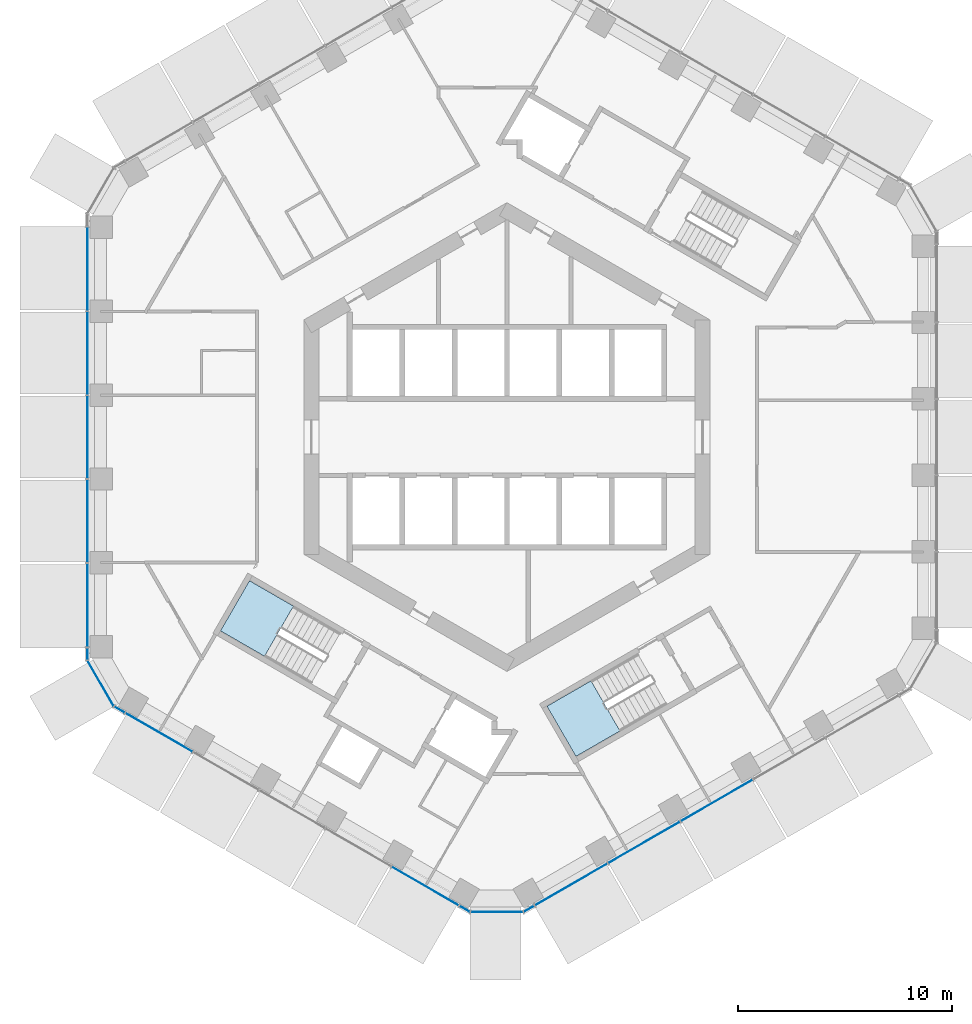
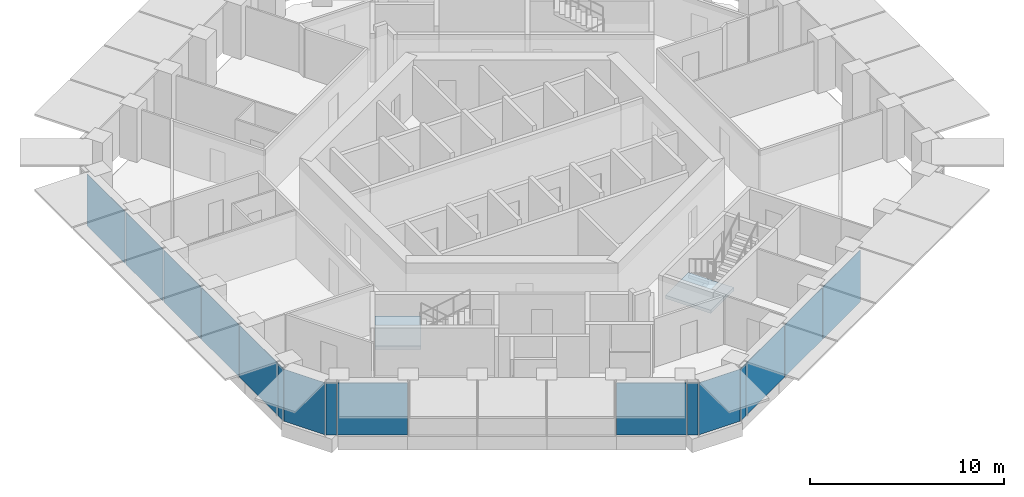
# One storey, part 8 of 18: 16 plates, 2 slabs, 7 elements without a shape of their own.
"""IFC4 building model written with IfcOpenShell, lengths in metres."""

from ifc_helpers import new_model, si_unit, direction, frame, origin, origin_2d, place, context, subcontext, project, spatial, polyline, rectangle, outline, extrude, material, layer, layer_set, type_object, element, aggregate, save


model = new_model("IFC4")

# Units and contexts
model_context = context("Model", 3, precision=1e-05, world=origin(), true_north=direction((0.0, 1.0)))
body_context = subcontext(model_context, "Body", "Model", "MODEL_VIEW")
ifc_project = project(units=[si_unit("LENGTHUNIT", "METRE"), si_unit("AREAUNIT", "SQUARE_METRE"), si_unit("VOLUMEUNIT", "CUBIC_METRE"), si_unit("PLANEANGLEUNIT", "RADIAN"), si_unit("MASSUNIT", "GRAM", prefix="KILO")], contexts=[model_context])

# Site, building, storey
site_placement = place(None, origin())
site = spatial("IfcSite", under=ifc_project, at=site_placement, CompositionType="ELEMENT")
building_placement = place(site_placement, origin())
building = spatial("IfcBuilding", under=site, at=building_placement, Name="Ayvan Gate Tower", CompositionType="ELEMENT")
storey_placement = place(building_placement, frame((0.0, 0.0, 110.300048828125)))
storey = spatial("IfcBuildingStorey", under=building, at=storey_placement, Name="L29", CompositionType="ELEMENT", Elevation=110.300048828125)

# Stair, slab
ifc_material_1 = material(Name="Concrete C40/50", Category="concrete")
stair_type = type_object("IfcStairType", Name="ST-EXIT", PredefinedType="HALF_TURN_STAIR", material=ifc_material_1)
stair_1_placement = place(storey_placement, origin())
stair_1 = element("IfcStair", 1, at=stair_1_placement, inside=storey, type_object=stair_type, Name="L29 Exit Stair S2", PredefinedType="HALF_TURN_STAIR")
ifc_layer_1 = layer(ifc_material_1, 0.199951171875)
ifc_layer_set_1 = layer_set([ifc_layer_1], Name="Concrete C40/50")
slab_type = type_object("IfcSlabType", Name="SL-LANDING-200", PredefinedType="LANDING", material=ifc_layer_set_1)
slab_1_placement = place(storey_placement, frame((0.0, 0.0, 1.5)))
slab_1 = element("IfcSlab", 2, at=slab_1_placement, type_object=slab_type, Name="STS2 landing 1", PredefinedType="LANDING", context=body_context, shape_type="SweptSolid", body=[
    extrude(outline(polyline([(-9.988525390625, -7.91064453125), (-12.049560546875, -6.720458984375), (-13.404541015625, -9.0673828125), (-11.343505859375, -10.257568359375), (-9.988525390625, -7.91064453125)])), origin(), (0.0, 0.0, 1.0), 0.199951171875),
])
aggregate(stair_1, [slab_1])

stair_2_placement = place(storey_placement, origin())
stair_2 = element("IfcStair", 3, at=stair_2_placement, inside=storey, type_object=stair_type, Name="L29 Exit Stair S3", PredefinedType="HALF_TURN_STAIR")
slab_2_placement = place(storey_placement, frame((0.0, 0.0, 1.5)))
slab_2 = element("IfcSlab", 4, at=slab_2_placement, type_object=slab_type, Name="STS3 landing 1", PredefinedType="LANDING", context=body_context, shape_type="SweptSolid", body=[
    extrude(outline(polyline([(3.93505859375, -11.405517578125), (1.873779296875, -12.595458984375), (3.228759765625, -14.9423828125), (5.2900390625, -13.75244140625), (3.93505859375, -11.405517578125)])), origin(), (0.0, 0.0, 1.0), 0.199951171875),
])
aggregate(stair_2, [slab_2])

# Curtain wall, plates
ifc_material_2 = material(Name="Bronze anodised aluminium", Category="aluminium")
ifc_layer_2 = layer(ifc_material_2, 0.199951171875)
ifc_layer_set_2 = layer_set([ifc_layer_2], Name="Bronze anodised aluminium")
curtain_wall_type_1 = type_object("IfcCurtainWallType", Name="Stick curtain wall CW-1", PredefinedType="NOTDEFINED", material=ifc_layer_set_2)
curtain_wall_1_placement = place(storey_placement, origin())
curtain_wall_1 = element("IfcCurtainWall", 5, at=curtain_wall_1_placement, inside=storey, type_object=curtain_wall_type_1, Name="Stick curtain wall CW-1 L29", PredefinedType="NOTDEFINED")
ifc_material_3 = material(Name="Clear low-iron laminated glass", Category="glass")
ifc_layer_3 = layer(ifc_material_3, 0.028076171875)
ifc_layer_set_3 = layer_set([ifc_layer_3], Name="Clear low-iron laminated glass")
plate_type_1 = type_object("IfcPlateType", Name="Stick curtain wall CW-1 glass panel", PredefinedType="CURTAIN_PANEL", material=ifc_layer_set_3)
plate_1_placement = place(storey_placement, frame((-19.6357421875, 7.8798828125, 0.0), z_axis=(0.0, 0.0, 1.0), x_axis=(0.0, -1.0, 0.0)))
plate_1 = element("IfcPlate", 6, at=plate_1_placement, type_object=plate_type_1, Name="CW-1 glass panel 1", PredefinedType="CURTAIN_PANEL", context=body_context, shape_type="SweptSolid", body=[
    extrude(rectangle(XDim=3.928955078125, YDim=0.028076171875, at=origin_2d()), origin(), (0.0, 0.0, 1.0), 3.280029296875),
])
plate_2_placement = place(storey_placement, frame((-19.6357421875, 3.92333984375, 0.0), z_axis=(0.0, 0.0, 1.0), x_axis=(0.0, -1.0, 0.0)))
plate_2 = element("IfcPlate", 7, at=plate_2_placement, type_object=plate_type_1, Name="CW-1 glass panel 2", PredefinedType="CURTAIN_PANEL", context=body_context, shape_type="SweptSolid", body=[
    extrude(rectangle(XDim=3.864013671875, YDim=0.028076171875, at=origin_2d()), origin(), (0.0, 0.0, 1.0), 3.280029296875),
])
plate_3_placement = place(storey_placement, frame((-19.6357421875, -0.000244140625, 0.0), z_axis=(0.0, 0.0, 1.0), x_axis=(0.0, -1.0, 0.0)))
plate_3 = element("IfcPlate", 8, at=plate_3_placement, type_object=plate_type_1, Name="CW-1 glass panel 3", PredefinedType="CURTAIN_PANEL", context=body_context, shape_type="SweptSolid", body=[
    extrude(rectangle(XDim=3.863037109375, YDim=0.028076171875, at=origin_2d()), origin(), (0.0, 0.0, 1.0), 3.280029296875),
])
plate_4_placement = place(storey_placement, frame((-19.6357421875, -3.923583984375, 0.0), z_axis=(0.0, 0.0, 1.0), x_axis=(0.0, -1.0, 0.0)))
plate_4 = element("IfcPlate", 9, at=plate_4_placement, type_object=plate_type_1, Name="CW-1 glass panel 4", PredefinedType="CURTAIN_PANEL", context=body_context, shape_type="SweptSolid", body=[
    extrude(rectangle(XDim=3.864013671875, YDim=0.028076171875, at=origin_2d()), origin(), (0.0, 0.0, 1.0), 3.280029296875),
])
plate_5_placement = place(storey_placement, frame((-19.6357421875, -7.8798828125, 0.0), z_axis=(0.0, 0.0, 1.0), x_axis=(0.0, -1.0, 0.0)))
plate_5 = element("IfcPlate", 10, at=plate_5_placement, type_object=plate_type_1, Name="CW-1 glass panel 5", PredefinedType="CURTAIN_PANEL", context=body_context, shape_type="SweptSolid", body=[
    extrude(rectangle(XDim=3.9287109375, YDim=0.028076171875, at=origin_2d()), origin(), (0.0, 0.0, 1.0), 3.280029296875),
])
aggregate(curtain_wall_1, [plate_1, plate_2, plate_3, plate_4, plate_5])

curtain_wall_2_placement = place(storey_placement, origin())
curtain_wall_2 = element("IfcCurtainWall", 11, at=curtain_wall_2_placement, inside=storey, type_object=curtain_wall_type_1, Name="Stick curtain wall CW-1 L29", PredefinedType="NOTDEFINED")
plate_6_placement = place(storey_placement, frame((-16.29638671875, -13.81298828125, 0.0), z_axis=(0.0, 0.0, 1.0), x_axis=(0.866025403784, -0.5, 0.0)))
plate_6 = element("IfcPlate", 12, at=plate_6_placement, type_object=plate_type_1, Name="CW-1 glass panel 1", PredefinedType="CURTAIN_PANEL", context=body_context, shape_type="SweptSolid", body=[
    extrude(rectangle(XDim=3.631103515625, YDim=0.028076171875, at=origin_2d()), origin(), (0.0, 0.0, 1.0), 3.280029296875),
])
plate_7_placement = place(storey_placement, frame((-3.814208984375, -21.01953125, 0.0), z_axis=(0.0, 0.0, 1.0), x_axis=(0.866025403784, -0.5, 0.0)))
plate_7 = element("IfcPlate", 13, at=plate_7_placement, type_object=plate_type_1, Name="CW-1 glass panel 5", PredefinedType="CURTAIN_PANEL", context=body_context, shape_type="SweptSolid", body=[
    extrude(rectangle(XDim=3.631103515625, YDim=0.028076171875, at=origin_2d()), origin(), (0.0, 0.0, 1.0), 3.280029296875),
])
aggregate(curtain_wall_2, [plate_6, plate_7])

curtain_wall_3_placement = place(storey_placement, origin())
curtain_wall_3 = element("IfcCurtainWall", 14, at=curtain_wall_3_placement, inside=storey, type_object=curtain_wall_type_1, Name="Stick curtain wall CW-1 L29", PredefinedType="NOTDEFINED")
plate_8_placement = place(storey_placement, frame((2.99365234375, -20.945068359375, 0.0), z_axis=(0.0, 0.0, 1.0), x_axis=(0.866025403784, 0.5, 0.0)))
plate_8 = element("IfcPlate", 15, at=plate_8_placement, type_object=plate_type_1, Name="CW-1 glass panel 1", PredefinedType="CURTAIN_PANEL", context=body_context, shape_type="SweptSolid", body=[
    extrude(rectangle(XDim=3.928955078125, YDim=0.028076171875, at=origin_2d()), origin(), (0.0, 0.0, 1.0), 3.280029296875),
])
plate_9_placement = place(storey_placement, frame((6.420166015625, -18.966796875, 0.0), z_axis=(0.0, 0.0, 1.0), x_axis=(0.866025403784, 0.5, 0.0)))
plate_9 = element("IfcPlate", 16, at=plate_9_placement, type_object=plate_type_1, Name="CW-1 glass panel 2", PredefinedType="CURTAIN_PANEL", context=body_context, shape_type="SweptSolid", body=[
    extrude(rectangle(XDim=3.864013671875, YDim=0.028076171875, at=origin_2d()), origin(), (0.0, 0.0, 1.0), 3.280029296875),
])
plate_10_placement = place(storey_placement, frame((9.818115234375, -17.005126953125, 0.0), z_axis=(0.0, 0.0, 1.0), x_axis=(0.866025403784, 0.5, 0.0)))
plate_10 = element("IfcPlate", 17, at=plate_10_placement, type_object=plate_type_1, Name="CW-1 glass panel 3", PredefinedType="CURTAIN_PANEL", context=body_context, shape_type="SweptSolid", body=[
    extrude(rectangle(XDim=3.863037109375, YDim=0.028076171875, at=origin_2d()), origin(), (0.0, 0.0, 1.0), 3.280029296875),
])
aggregate(curtain_wall_3, [plate_8, plate_9, plate_10])

ifc_layer_4 = layer(ifc_material_2, 0.199951171875)
ifc_layer_set_4 = layer_set([ifc_layer_4], Name="Bronze anodised aluminium")
curtain_wall_type_2 = type_object("IfcCurtainWallType", Name="Stick curtain wall CW-6", PredefinedType="NOTDEFINED", material=ifc_layer_set_4)
curtain_wall_4_placement = place(storey_placement, origin())
curtain_wall_4 = element("IfcCurtainWall", 18, at=curtain_wall_4_placement, inside=storey, type_object=curtain_wall_type_2, Name="Stick curtain wall CW-6 L29", PredefinedType="NOTDEFINED")
ifc_layer_5 = layer(ifc_material_3, 0.028076171875)
ifc_layer_set_5 = layer_set([ifc_layer_5], Name="Clear low-iron laminated glass")
plate_type_2 = type_object("IfcPlateType", Name="Stick curtain wall CW-6 glass panel", PredefinedType="CURTAIN_PANEL", material=ifc_layer_set_5)
plate_11_placement = place(storey_placement, frame((-19.6357421875, -10.1494140625, 0.0), z_axis=(0.0, 0.0, 1.0), x_axis=(0.0, -1.0, 0.0)))
plate_11 = element("IfcPlate", 19, at=plate_11_placement, type_object=plate_type_2, Name="CW-6 glass panel 1", PredefinedType="CURTAIN_PANEL", context=body_context, shape_type="SweptSolid", body=[
    extrude(rectangle(XDim=0.550048828125, YDim=0.028076171875, at=origin_2d()), origin(), (0.0, 0.0, 1.0), 3.280029296875),
])
plate_12_placement = place(storey_placement, frame((-19.01416015625, -11.526123046875, 0.0), z_axis=(0.0, 0.0, 1.0), x_axis=(0.5, -0.866025403784, 0.0)))
plate_12 = element("IfcPlate", 20, at=plate_12_placement, type_object=plate_type_2, Name="CW-6 glass panel 2", PredefinedType="CURTAIN_PANEL", context=body_context, shape_type="SweptSolid", body=[
    extrude(rectangle(XDim=2.4365234375, YDim=0.028076171875, at=origin_2d()), origin(), (0.0, 0.0, 1.0), 3.280029296875),
])
plate_13_placement = place(storey_placement, frame((-18.1328125, -12.752685546875, 0.0), z_axis=(0.0, 0.0, 1.0), x_axis=(0.866025403784, -0.5, 0.0)))
plate_13 = element("IfcPlate", 21, at=plate_13_placement, type_object=plate_type_2, Name="CW-6 glass panel 3", PredefinedType="CURTAIN_PANEL", context=body_context, shape_type="SweptSolid", body=[
    extrude(rectangle(XDim=0.550048828125, YDim=0.028076171875, at=origin_2d()), origin(), (0.0, 0.0, 1.0), 3.280029296875),
])
aggregate(curtain_wall_4, [plate_11, plate_12, plate_13])

curtain_wall_5_placement = place(storey_placement, origin())
curtain_wall_5 = element("IfcCurtainWall", 22, at=curtain_wall_5_placement, inside=storey, type_object=curtain_wall_type_2, Name="Stick curtain wall CW-6 L29", PredefinedType="NOTDEFINED")
plate_14_placement = place(storey_placement, frame((-1.977783203125, -22.079833984375, 0.0), z_axis=(0.0, 0.0, 1.0), x_axis=(0.866025403784, -0.5, 0.0)))
plate_14 = element("IfcPlate", 23, at=plate_14_placement, type_object=plate_type_2, Name="CW-6 glass panel 1", PredefinedType="CURTAIN_PANEL", context=body_context, shape_type="SweptSolid", body=[
    extrude(rectangle(XDim=0.550048828125, YDim=0.028076171875, at=origin_2d()), origin(), (0.0, 0.0, 1.0), 3.280029296875),
])
plate_15_placement = place(storey_placement, frame((-0.474853515625, -22.229736328125, 0.0), z_axis=(0.0, 0.0, 1.0), x_axis=(1.0, 0.0, 0.0)))
plate_15 = element("IfcPlate", 24, at=plate_15_placement, type_object=plate_type_2, Name="CW-6 glass panel 2", PredefinedType="CURTAIN_PANEL", context=body_context, shape_type="SweptSolid", body=[
    extrude(rectangle(XDim=2.4365234375, YDim=0.028076171875, at=origin_2d()), origin(), (0.0, 0.0, 1.0), 3.280029296875),
])
plate_16_placement = place(storey_placement, frame((1.0283203125, -22.079833984375, 0.0), z_axis=(0.0, 0.0, 1.0), x_axis=(0.866025403784, 0.5, 0.0)))
plate_16 = element("IfcPlate", 25, at=plate_16_placement, type_object=plate_type_2, Name="CW-6 glass panel 3", PredefinedType="CURTAIN_PANEL", context=body_context, shape_type="SweptSolid", body=[
    extrude(rectangle(XDim=0.550048828125, YDim=0.028076171875, at=origin_2d()), origin(), (0.0, 0.0, 1.0), 3.280029296875),
])
aggregate(curtain_wall_5, [plate_14, plate_15, plate_16])

save(model, "model.ifc")
